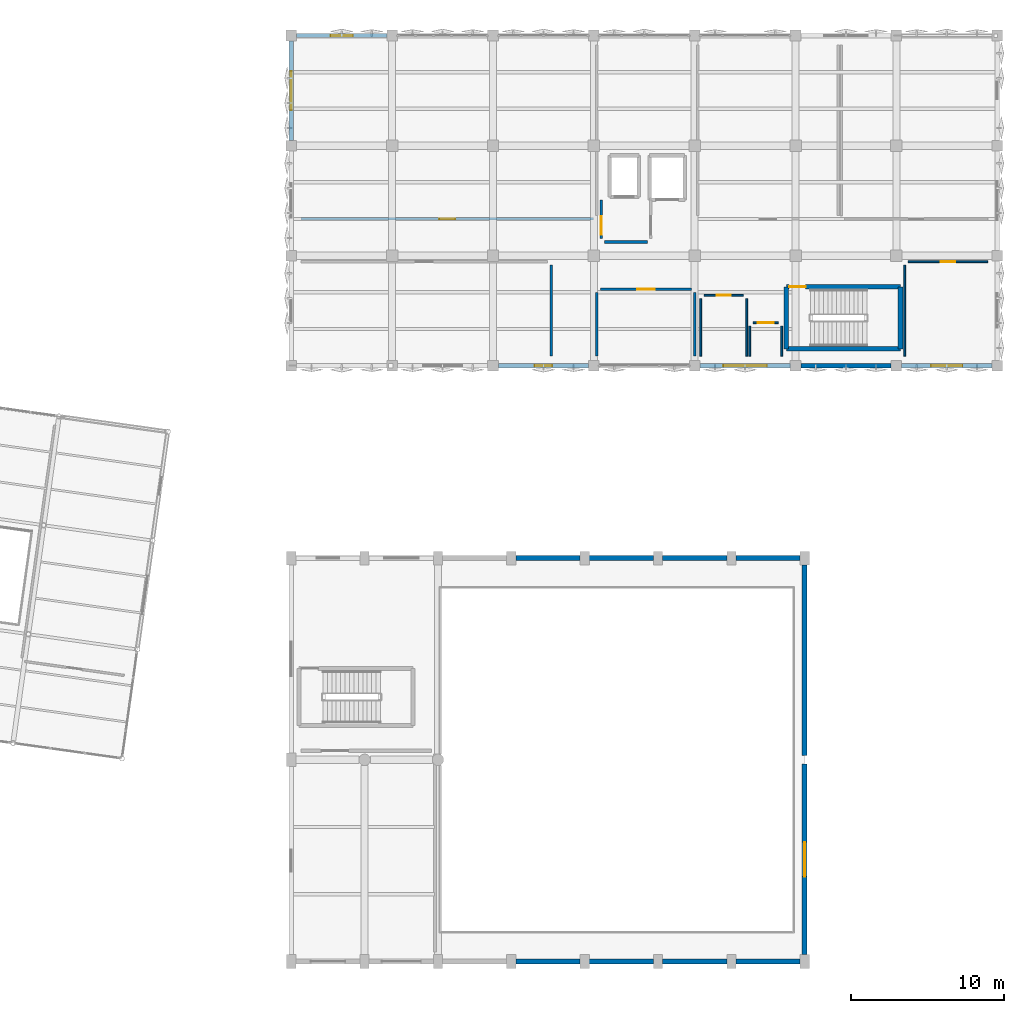
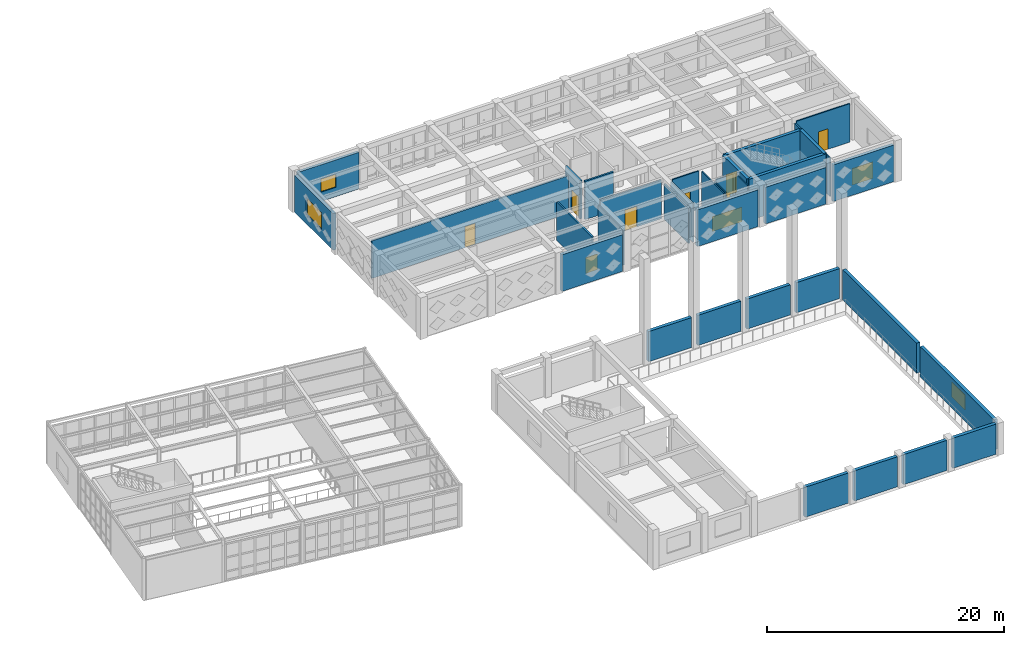
# One storey, part 70 of 80: 35 walls, 7 doors, 6 windows, 13 openings.
"""IFC4 building model written with IfcOpenShell, lengths in metres."""

from ifc_helpers import new_model, si_unit, direction, frame, frame_2d, origin, place, context, subcontext, project, spatial, rectangle, extrude, material, layer, layer_set, type_object, element, fill, save


model = new_model("IFC4")

# Units and contexts
model_context = context("Model", 3, precision=1e-05, world=origin(), true_north=direction((0.0, 1.0)))
body_context = subcontext(model_context, "Body", "Model", "MODEL_VIEW")
ifc_project = project(units=[si_unit("LENGTHUNIT", "METRE"), si_unit("AREAUNIT", "SQUARE_METRE"), si_unit("VOLUMEUNIT", "CUBIC_METRE"), si_unit("PLANEANGLEUNIT", "RADIAN"), si_unit("MASSUNIT", "GRAM", prefix="KILO")], contexts=[model_context])

# Site, building, storey
site_placement = place(None, origin())
site = spatial("IfcSite", under=ifc_project, at=site_placement, CompositionType="ELEMENT")
building_placement = place(site_placement, origin())
building = spatial("IfcBuilding", under=site, at=building_placement, Name="Kharisveld Research Institute", CompositionType="ELEMENT")
storey_placement = place(building_placement, frame((0.0, 0.0, 5.10009765625)))
storey = spatial("IfcBuildingStorey", under=building, at=storey_placement, Name="L01", CompositionType="ELEMENT", Elevation=5.10009765625)

# Wall
ifc_material_1 = material(Name="Concrete C40/50", Category="concrete")
ifc_layer_1 = layer(ifc_material_1, 0.300048828125)
ifc_layer_set_1 = layer_set([ifc_layer_1], Name="WL_CORE_300")
wall_type_1 = type_object("IfcWallType", Name="WL_CORE_300", PredefinedType="SHEAR", material=ifc_layer_set_1)
wall_1_placement = place(storey_placement, frame((147.0, 40.300048828125, 0.0), z_axis=(0.0, 0.0, 1.0), x_axis=(0.0, 1.0, 0.0)))
element("IfcWall", 1, at=wall_1_placement, inside=storey, type_object=wall_type_1, Name="WL:STR:ST3:L01:W", PredefinedType="SHEAR", context=body_context, shape_type="SweptSolid", body=[
    extrude(rectangle(XDim=4.06005859375, YDim=0.300048828125, at=frame_2d((2.030029296875, 0.0))), origin(), (0.0, 0.0, 1.0), 4.27978515625),
])

# Wall, opening, door
wall_2_placement = place(storey_placement, frame((147.0, 44.360107421875, 0.0), z_axis=(0.0, 0.0, 1.0), x_axis=(1.0, 0.0, 0.0)))
wall_2 = element("IfcWall", 2, at=wall_2_placement, inside=storey, type_object=wall_type_1, Name="WL:STR:ST3:L01:N", PredefinedType="SHEAR", context=body_context, shape_type="SweptSolid", body=[
    extrude(rectangle(XDim=7.469970703125, YDim=0.300048828125, at=frame_2d((3.73486328125, 0.0))), origin(), (0.0, 0.0, 1.0), 4.27978515625),
])
opening_1_placement = place(wall_2_placement, frame((0.179931640625, 0.0, 0.0)))
opening_1 = element("IfcOpeningElement", 3, at=opening_1_placement, cuts=wall_2, Name="Opening DS-029", PredefinedType="OPENING", context=body_context, shape_type="SweptSolid", body=[
    extrude(rectangle(XDim=1.080078125, YDim=2.14990234375, at=frame_2d((0.5400390625, 1.074951171875))), frame((0.0, 0.14990234375, 0.0), z_axis=(0.0, -1.0, 0.0), x_axis=(1.0, 0.0, 0.0)), (0.0, 0.0, 1.0), 0.300048828125),
])
ifc_material_2 = material(Name="Flush Painted Hardwood and Anodised Aluminium", Category="wood")
door_type_1 = type_object("IfcDoorType", Name="DR_FD60_108", OperationType="NOTDEFINED", PredefinedType="DOOR", material=ifc_material_2)
door_1_placement = place(opening_1_placement, origin())
door_1 = element("IfcDoor", 4, at=door_1_placement, inside=storey, type_object=door_type_1, Name="DR:STR:ST3:L01", OperationType="SINGLE_SWING_RIGHT", OverallHeight=2.14990234375, OverallWidth=1.080078125, PredefinedType="DOOR", context=body_context, shape_type="SweptSolid", body=[
    extrude(rectangle(XDim=1.080078125, YDim=2.14990234375, at=frame_2d((0.5400390625, 1.074951171875))), frame((0.0, 0.02490234375, 0.0), z_axis=(0.0, -1.0, 0.0), x_axis=(1.0, 0.0, 0.0)), (0.0, 0.0, 1.0), 0.050048828125),
])
fill(opening_1, door_1)

# Walls
wall_3_placement = place(storey_placement, frame((154.469970703125, 44.360107421875, 0.0), z_axis=(0.0, 0.0, 1.0), x_axis=(0.0, -1.0, 0.0)))
element("IfcWall", 5, at=wall_3_placement, inside=storey, type_object=wall_type_1, Name="WL:STR:ST3:L01:E", PredefinedType="SHEAR", context=body_context, shape_type="SweptSolid", body=[
    extrude(rectangle(XDim=4.06005859375, YDim=0.300048828125, at=frame_2d((2.030029296875, 0.0))), origin(), (0.0, 0.0, 1.0), 4.27978515625),
])
wall_4_placement = place(storey_placement, frame((154.469970703125, 40.300048828125, 0.0), z_axis=(0.0, 0.0, 1.0), x_axis=(-1.0, 0.0, 0.0)))
element("IfcWall", 6, at=wall_4_placement, inside=storey, type_object=wall_type_1, Name="WL:STR:ST3:L01:S", PredefinedType="SHEAR", context=body_context, shape_type="SweptSolid", body=[
    extrude(rectangle(XDim=7.469970703125, YDim=0.300048828125, at=frame_2d((3.73486328125, 0.0))), origin(), (0.0, 0.0, 1.0), 4.27978515625),
])

# Wall, opening, window
ifc_material_3 = material(Name="Precast Concrete C40/50 Thermal Wall", Category="concrete")
ifc_layer_2 = layer(ifc_material_3, 0.260009765625)
ifc_layer_set_2 = layer_set([ifc_layer_2], Name="WL_EXT_260")
wall_type_2 = type_object("IfcWallType", Name="WL_EXT_260", PredefinedType="STANDARD", material=ifc_layer_set_2)
wall_5_placement = place(storey_placement, frame((114.945068359375, 60.800048828125, 0.0), z_axis=(0.0, 0.0, 1.0), x_axis=(1.0, 0.0, 0.0)))
wall_5 = element("IfcWall", 7, at=wall_5_placement, inside=storey, type_object=wall_type_2, Name="WL:V2:L01:N0", PredefinedType="STANDARD", context=body_context, shape_type="SweptSolid", body=[
    extrude(rectangle(XDim=5.909912109375, YDim=0.260009765625, at=frame_2d((2.955078125, 0.0))), origin(), (0.0, 0.0, 1.0), 3.77490234375),
])
opening_2_placement = place(wall_5_placement, frame((2.22998046875, 0.0, 0.949951171875)))
opening_2 = element("IfcOpeningElement", 8, at=opening_2_placement, cuts=wall_5, Name="Opening WN-13", PredefinedType="OPENING", context=body_context, shape_type="SweptSolid", body=[
    extrude(rectangle(XDim=1.449951171875, YDim=1.35009765625, at=frame_2d((0.72509765625, 0.675048828125))), frame((0.0, 0.1298828125, 0.0), z_axis=(0.0, -1.0, 0.0), x_axis=(1.0, 0.0, 0.0)), (0.0, 0.0, 1.0), 0.260009765625),
])
ifc_material_4 = material(Name="Low-E Double Glazing", Category="glass")
window_type_1 = type_object("IfcWindowType", Name="WN_13", PartitioningType="DOUBLE_PANEL_VERTICAL", PredefinedType="WINDOW", material=ifc_material_4)
window_1_placement = place(opening_2_placement, origin())
window_1 = element("IfcWindow", 9, at=window_1_placement, inside=storey, type_object=window_type_1, Name="WN:V2:L01:N0", OverallHeight=1.35009765625, OverallWidth=1.449951171875, PartitioningType="SINGLE_PANEL", PredefinedType="WINDOW", context=body_context, shape_type="SweptSolid", body=[
    extrude(rectangle(XDim=1.449951171875, YDim=1.35009765625, at=frame_2d((0.72509765625, 0.675048828125))), frame((0.0, 0.030029296875, 0.0), z_axis=(0.0, -1.0, 0.0), x_axis=(1.0, 0.0, 0.0)), (0.0, 0.0, 1.0), 0.06005859375),
])
fill(opening_2, window_1)

ifc_material_5 = material(Name="Precast Concrete C40/50 Thermal Wall", Category="concrete")
ifc_layer_3 = layer(ifc_material_5, 0.2900390625)
ifc_layer_set_3 = layer_set([ifc_layer_3], Name="WL_EXT_290")
wall_type_3 = type_object("IfcWallType", Name="WL_EXT_290", PredefinedType="STANDARD", material=ifc_layer_set_3)
wall_6_placement = place(storey_placement, frame((114.60009765625, 53.945068359375, 0.0), z_axis=(0.0, 0.0, 1.0), x_axis=(0.0, 1.0, 0.0)))
wall_6 = element("IfcWall", 10, at=wall_6_placement, inside=storey, type_object=wall_type_3, Name="WL:V2:L01:W2", PredefinedType="STANDARD", context=body_context, shape_type="SweptSolid", body=[
    extrude(rectangle(XDim=6.510009765625, YDim=0.2900390625, at=frame_2d((3.2548828125, 0.0))), origin(), (0.0, 0.0, 1.0), 3.77490234375),
])
opening_3_placement = place(wall_6_placement, frame((1.97998046875, 0.0, 0.949951171875)))
opening_3 = element("IfcOpeningElement", 11, at=opening_3_placement, cuts=wall_6, Name="Opening WN-15", PredefinedType="OPENING", context=body_context, shape_type="SweptSolid", body=[
    extrude(rectangle(XDim=2.550048828125, YDim=1.75, at=frame_2d((1.27490234375, 0.875))), frame((0.0, 0.14501953125, 0.0), z_axis=(0.0, -1.0, 0.0), x_axis=(1.0, 0.0, 0.0)), (0.0, 0.0, 1.0), 0.2900390625),
])
ifc_material_6 = material(Name="Low-E Double Glazing", Category="glass")
window_type_2 = type_object("IfcWindowType", Name="WN_15", PartitioningType="TRIPLE_PANEL_VERTICAL", PredefinedType="WINDOW", material=ifc_material_6)
window_2_placement = place(opening_3_placement, origin())
window_2 = element("IfcWindow", 12, at=window_2_placement, inside=storey, type_object=window_type_2, Name="WN:V2:L01:W2", OverallHeight=1.75, OverallWidth=2.550048828125, PartitioningType="SINGLE_PANEL", PredefinedType="WINDOW", context=body_context, shape_type="SweptSolid", body=[
    extrude(rectangle(XDim=2.550048828125, YDim=1.75, at=frame_2d((1.27490234375, 0.875))), frame((0.0, 0.030029296875, 0.0), z_axis=(0.0, -1.0, 0.0), x_axis=(1.0, 0.0, 0.0)), (0.0, 0.0, 1.0), 0.06005859375),
])
fill(opening_3, window_2)

ifc_material_7 = material(Name="Precast Concrete C40/50 Ochre Panel", Category="concrete")
ifc_layer_4 = layer(ifc_material_7, 0.304931640625)
ifc_layer_set_4 = layer_set([ifc_layer_4], Name="WL_EXT_305")
wall_type_4 = type_object("IfcWallType", Name="WL_EXT_305", PredefinedType="STANDARD", material=ifc_layer_set_4)
wall_7_placement = place(storey_placement, frame((160.455078125, 39.199951171875, 0.0), z_axis=(0.0, 0.0, 1.0), x_axis=(-1.0, 0.0, 0.0)))
wall_7 = element("IfcWall", 13, at=wall_7_placement, inside=storey, type_object=wall_type_4, Name="WL:V2:L01:S7", PredefinedType="STANDARD", context=body_context, shape_type="SweptSolid", body=[
    extrude(rectangle(XDim=5.91015625, YDim=0.304931640625, at=frame_2d((2.955078125, 0.0))), origin(), (0.0, 0.0, 1.0), 3.77490234375),
])
opening_4_placement = place(wall_7_placement, frame((1.929931640625, 0.0, 0.949951171875)))
opening_4 = element("IfcOpeningElement", 14, at=opening_4_placement, cuts=wall_7, Name="Opening WN-20", PredefinedType="OPENING", context=body_context, shape_type="SweptSolid", body=[
    extrude(rectangle(XDim=2.050048828125, YDim=1.699951171875, at=frame_2d((1.02490234375, 0.85009765625))), frame((0.0, 0.15234375, 0.0), z_axis=(0.0, -1.0, 0.0), x_axis=(1.0, 0.0, 0.0)), (0.0, 0.0, 1.0), 0.304931640625),
])
ifc_material_8 = material(Name="Low-E Double Glazing", Category="glass")
window_type_3 = type_object("IfcWindowType", Name="WN_20", PartitioningType="DOUBLE_PANEL_VERTICAL", PredefinedType="WINDOW", material=ifc_material_8)
window_3_placement = place(opening_4_placement, origin())
window_3 = element("IfcWindow", 15, at=window_3_placement, inside=storey, type_object=window_type_3, Name="WN:V2:L01:S7", OverallHeight=1.699951171875, OverallWidth=2.050048828125, PartitioningType="SINGLE_PANEL", PredefinedType="WINDOW", context=body_context, shape_type="SweptSolid", body=[
    extrude(rectangle(XDim=2.050048828125, YDim=1.699951171875, at=frame_2d((1.02490234375, 0.85009765625))), frame((0.0, 0.030029296875, 0.0), z_axis=(0.0, -1.0, 0.0), x_axis=(1.0, 0.0, 0.0)), (0.0, 0.0, 1.0), 0.06005859375),
])
fill(opening_4, window_3)

# Wall
wall_8_placement = place(storey_placement, frame((153.85498046875, 39.199951171875, 0.0), z_axis=(0.0, 0.0, 1.0), x_axis=(-1.0, 0.0, 0.0)))
element("IfcWall", 16, at=wall_8_placement, inside=storey, type_object=wall_type_4, Name="WL:V2:L01:S6", PredefinedType="STANDARD", context=body_context, shape_type="SweptSolid", body=[
    extrude(rectangle(XDim=5.909912109375, YDim=0.304931640625, at=frame_2d((2.955078125, 0.0))), origin(), (0.0, 0.0, 1.0), 3.77490234375),
])

# Wall, opening, window
wall_9_placement = place(storey_placement, frame((147.2548828125, 39.199951171875, 0.0), z_axis=(0.0, 0.0, 1.0), x_axis=(-1.0, 0.0, 0.0)))
wall_9 = element("IfcWall", 17, at=wall_9_placement, inside=storey, type_object=wall_type_4, Name="WL:V2:L01:S5", PredefinedType="STANDARD", context=body_context, shape_type="SweptSolid", body=[
    extrude(rectangle(XDim=5.909912109375, YDim=0.304931640625, at=frame_2d((2.955078125, 0.0))), origin(), (0.0, 0.0, 1.0), 3.77490234375),
])
opening_5_placement = place(wall_9_placement, frame((1.530029296875, 0.0, 0.949951171875)))
opening_5 = element("IfcOpeningElement", 18, at=opening_5_placement, cuts=wall_9, Name="Opening WN-18", PredefinedType="OPENING", context=body_context, shape_type="SweptSolid", body=[
    extrude(rectangle(XDim=2.85009765625, YDim=1.5, at=frame_2d((1.425048828125, 0.75))), frame((0.0, 0.15234375, 0.0), z_axis=(0.0, -1.0, 0.0), x_axis=(1.0, 0.0, 0.0)), (0.0, 0.0, 1.0), 0.304931640625),
])
ifc_material_9 = material(Name="Low-E Double Glazing", Category="glass")
window_type_4 = type_object("IfcWindowType", Name="WN_18", PartitioningType="TRIPLE_PANEL_VERTICAL", PredefinedType="WINDOW", material=ifc_material_9)
window_4_placement = place(opening_5_placement, origin())
window_4 = element("IfcWindow", 19, at=window_4_placement, inside=storey, type_object=window_type_4, Name="WN:V2:L01:S5", OverallHeight=1.5, OverallWidth=2.85009765625, PartitioningType="SINGLE_PANEL", PredefinedType="WINDOW", context=body_context, shape_type="SweptSolid", body=[
    extrude(rectangle(XDim=2.85009765625, YDim=1.5, at=frame_2d((1.425048828125, 0.75))), frame((0.0, 0.030029296875, 0.0), z_axis=(0.0, -1.0, 0.0), x_axis=(1.0, 0.0, 0.0)), (0.0, 0.0, 1.0), 0.06005859375),
])
fill(opening_5, window_4)

wall_10_placement = place(storey_placement, frame((134.054931640625, 39.199951171875, 0.0), z_axis=(0.0, 0.0, 1.0), x_axis=(-1.0, 0.0, 0.0)))
wall_10 = element("IfcWall", 20, at=wall_10_placement, inside=storey, type_object=wall_type_4, Name="WL:V2:L01:S3", PredefinedType="STANDARD", context=body_context, shape_type="SweptSolid", body=[
    extrude(rectangle(XDim=5.909912109375, YDim=0.304931640625, at=frame_2d((2.955078125, 0.0))), origin(), (0.0, 0.0, 1.0), 3.77490234375),
])
opening_6_placement = place(wall_10_placement, frame((2.3798828125, 0.0, 0.949951171875)))
opening_6 = element("IfcOpeningElement", 21, at=opening_6_placement, cuts=wall_10, Name="Opening WN-16", PredefinedType="OPENING", context=body_context, shape_type="SweptSolid", body=[
    extrude(rectangle(XDim=1.14990234375, YDim=1.60009765625, at=frame_2d((0.574951171875, 0.800048828125))), frame((0.0, 0.15234375, 0.0), z_axis=(0.0, -1.0, 0.0), x_axis=(1.0, 0.0, 0.0)), (0.0, 0.0, 1.0), 0.304931640625),
])
ifc_material_10 = material(Name="Low-E Double Glazing", Category="glass")
window_type_5 = type_object("IfcWindowType", Name="WN_16", PartitioningType="SINGLE_PANEL", PredefinedType="WINDOW", material=ifc_material_10)
window_5_placement = place(opening_6_placement, origin())
window_5 = element("IfcWindow", 22, at=window_5_placement, inside=storey, type_object=window_type_5, Name="WN:V2:L01:S3", OverallHeight=1.60009765625, OverallWidth=1.14990234375, PartitioningType="SINGLE_PANEL", PredefinedType="WINDOW", context=body_context, shape_type="SweptSolid", body=[
    extrude(rectangle(XDim=1.14990234375, YDim=1.60009765625, at=frame_2d((0.574951171875, 0.800048828125))), frame((0.0, 0.030029296875, 0.0), z_axis=(0.0, -1.0, 0.0), x_axis=(1.0, 0.0, 0.0)), (0.0, 0.0, 1.0), 0.06005859375),
])
fill(opening_6, window_5)

# Walls
ifc_material_11 = material(Name="Precast Concrete C40/50 Ochre Panel", Category="concrete")
ifc_layer_5 = layer(ifc_material_11, 0.320068359375)
ifc_layer_set_5 = layer_set([ifc_layer_5], Name="WL_EXT_320")
wall_type_5 = type_object("IfcWallType", Name="WL_EXT_320", PredefinedType="SOLIDWALL", material=ifc_layer_set_5)
for number, where, z_axis, x_axis, name in (
    (23, (129.294921875, 26.60009765625, 0.0), (0.0, 0.0, 1.0), (1.0, 0.0, 0.0), "WL:V5:L01:N3"),
    (24, (134.094970703125, 26.60009765625, 0.0), (0.0, 0.0, 1.0), (1.0, 0.0, 0.0), "WL:V5:L01:N4"),
    (25, (138.89501953125, 26.60009765625, 0.0), (0.0, 0.0, 1.0), (1.0, 0.0, 0.0), "WL:V5:L01:N5"),
    (26, (143.695068359375, 26.60009765625, 0.0), (0.0, 0.0, 1.0), (1.0, 0.0, 0.0), "WL:V5:L01:N6"),
):
    element("IfcWall", number, at=place(storey_placement, frame(where, z_axis=z_axis, x_axis=x_axis)), inside=storey, type_object=wall_type_5, Name=name, PredefinedType="SOLIDWALL", context=body_context, shape_type="SweptSolid", body=[
        extrude(rectangle(XDim=4.2099609375, YDim=0.320068359375, at=frame_2d((2.10498046875, 0.0))), origin(), (0.0, 0.0, 1.0), 3.099853515625),
    ])
wall_11_placement = place(storey_placement, frame((148.199951171875, 26.155029296875, 0.0), z_axis=(0.0, 0.0, 1.0), x_axis=(0.0, -1.0, 0.0)))
element("IfcWall", 27, at=wall_11_placement, inside=storey, type_object=wall_type_5, Name="WL:V5:L01:E2", PredefinedType="SOLIDWALL", context=body_context, shape_type="SweptSolid", body=[
    extrude(rectangle(XDim=12.47509765625, YDim=0.320068359375, at=frame_2d((6.237548828125, 0.0))), origin(), (0.0, 0.0, 1.0), 3.099853515625),
])

# Wall, opening, window
wall_12_placement = place(storey_placement, frame((148.199951171875, 13.1201171875, 0.0), z_axis=(0.0, 0.0, 1.0), x_axis=(0.0, -1.0, 0.0)))
wall_12 = element("IfcWall", 28, at=wall_12_placement, inside=storey, type_object=wall_type_5, Name="WL:V5:L01:E1", PredefinedType="SOLIDWALL", context=body_context, shape_type="SweptSolid", body=[
    extrude(rectangle(XDim=12.47509765625, YDim=0.320068359375, at=frame_2d((6.237548828125, 0.0))), origin(), (0.0, 0.0, 1.0), 3.099853515625),
])
opening_7_placement = place(wall_12_placement, frame((5.112548828125, 0.0, 0.949951171875)))
opening_7 = element("IfcOpeningElement", 29, at=opening_7_placement, cuts=wall_12, Name="Opening WN-14", PredefinedType="OPENING", context=body_context, shape_type="SweptSolid", body=[
    extrude(rectangle(XDim=2.25, YDim=1.550048828125, at=frame_2d((1.125, 0.77490234375))), frame((0.0, 0.16015625, 0.0), z_axis=(0.0, -1.0, 0.0), x_axis=(1.0, 0.0, 0.0)), (0.0, 0.0, 1.0), 0.320068359375),
])
ifc_material_12 = material(Name="Low-E Double Glazing", Category="glass")
window_type_6 = type_object("IfcWindowType", Name="WN_14", PartitioningType="DOUBLE_PANEL_VERTICAL", PredefinedType="WINDOW", material=ifc_material_12)
window_6_placement = place(opening_7_placement, origin())
window_6 = element("IfcWindow", 30, at=window_6_placement, inside=storey, type_object=window_type_6, Name="WN:V5:L01:E1", OverallHeight=1.550048828125, OverallWidth=2.25, PartitioningType="SINGLE_PANEL", PredefinedType="WINDOW", context=body_context, shape_type="SweptSolid", body=[
    extrude(rectangle(XDim=2.25, YDim=1.550048828125, at=frame_2d((1.125, 0.77490234375))), frame((0.0, 0.030029296875, 0.0), z_axis=(0.0, -1.0, 0.0), x_axis=(1.0, 0.0, 0.0)), (0.0, 0.0, 1.0), 0.06005859375),
])
fill(opening_7, window_6)

# Walls
for number, where, z_axis, x_axis, name in (
    (31, (147.905029296875, 0.199951171875, 0.0), (0.0, 0.0, 1.0), (-1.0, 0.0, 0.0), "WL:V5:L01:S7"),
    (32, (143.10498046875, 0.199951171875, 0.0), (0.0, 0.0, 1.0), (-1.0, 0.0, 0.0), "WL:V5:L01:S6"),
    (33, (138.304931640625, 0.199951171875, 0.0), (0.0, 0.0, 1.0), (-1.0, 0.0, 0.0), "WL:V5:L01:S5"),
    (34, (133.5048828125, 0.199951171875, 0.0), (0.0, 0.0, 1.0), (-1.0, 0.0, 0.0), "WL:V5:L01:S4"),
):
    element("IfcWall", number, at=place(storey_placement, frame(where, z_axis=z_axis, x_axis=x_axis)), inside=storey, type_object=wall_type_5, Name=name, PredefinedType="SOLIDWALL", context=body_context, shape_type="SweptSolid", body=[
        extrude(rectangle(XDim=4.2099609375, YDim=0.320068359375, at=frame_2d((2.10498046875, 0.0))), origin(), (0.0, 0.0, 1.0), 3.099853515625),
    ])

# Wall, opening, door
ifc_material_13 = material(Name="Acoustic Drywall Partition", Category="mineral")
ifc_layer_6 = layer(ifc_material_13, 0.1650390625)
ifc_layer_set_6 = layer_set([ifc_layer_6], Name="WL_LAB_165")
wall_type_6 = type_object("IfcWallType", Name="WL_LAB_165", PredefinedType="PARTITIONING", material=ifc_layer_set_6)
wall_13_placement = place(storey_placement, frame((115.219970703125, 48.800048828125, 0.0), z_axis=(0.0, 0.0, 1.0), x_axis=(1.0, 0.0, 0.0)))
wall_13 = element("IfcWall", 35, at=wall_13_placement, inside=storey, type_object=wall_type_6, Name="WL:RM:V2:L01:WLA:S", PredefinedType="PARTITIONING", context=body_context, shape_type="SweptSolid", body=[
    extrude(rectangle(XDim=19.159912109375, YDim=0.1650390625, at=frame_2d((9.580078125, 0.0))), origin(), (0.0, 0.0, 1.0), 3.875),
])
opening_8_placement = place(wall_13_placement, frame((9.06494140625, 0.0, 0.0)))
opening_8 = element("IfcOpeningElement", 36, at=opening_8_placement, cuts=wall_13, Name="Opening DI-197", PredefinedType="OPENING", context=body_context, shape_type="SweptSolid", body=[
    extrude(rectangle(XDim=1.030029296875, YDim=2.159912109375, at=frame_2d((0.51513671875, 1.080078125))), frame((0.0, 0.08251953125, 0.0), z_axis=(0.0, -1.0, 0.0), x_axis=(1.0, 0.0, 0.0)), (0.0, 0.0, 1.0), 0.1650390625),
])
ifc_material_14 = material(Name="Flush Painted Hardwood and Anodised Aluminium", Category="wood")
door_type_2 = type_object("IfcDoorType", Name="DR_VAR_05", OperationType="NOTDEFINED", PredefinedType="DOOR", material=ifc_material_14)
door_2_placement = place(opening_8_placement, origin())
door_2 = element("IfcDoor", 37, at=door_2_placement, inside=storey, type_object=door_type_2, Name="DR:RM:V2:L01:WLA:S", OperationType="SINGLE_SWING_LEFT", OverallHeight=2.159912109375, OverallWidth=1.030029296875, PredefinedType="DOOR", context=body_context, shape_type="SweptSolid", body=[
    extrude(rectangle(XDim=1.030029296875, YDim=2.159912109375, at=frame_2d((0.51513671875, 1.080078125))), frame((0.0, 0.02490234375, 0.0), z_axis=(0.0, -1.0, 0.0), x_axis=(1.0, 0.0, 0.0)), (0.0, 0.0, 1.0), 0.050048828125),
])
fill(opening_8, door_2)

# Walls
wall_14_placement = place(storey_placement, frame((131.60009765625, 39.820068359375, 0.0), z_axis=(0.0, 0.0, 1.0), x_axis=(0.0, 1.0, 0.0)))
element("IfcWall", 38, at=wall_14_placement, inside=storey, type_object=wall_type_6, Name="WL:RM:V2:L01:WLC:E", PredefinedType="PARTITIONING", context=body_context, shape_type="SweptSolid", body=[
    extrude(rectangle(XDim=5.9599609375, YDim=0.1650390625, at=frame_2d((2.97998046875, 0.0))), origin(), (0.0, 0.0, 1.0), 3.949951171875),
])
wall_15_placement = place(storey_placement, frame((141.0, 39.820068359375, 0.0), z_axis=(0.0, 0.0, 1.0), x_axis=(0.0, 1.0, 0.0)))
element("IfcWall", 39, at=wall_15_placement, inside=storey, type_object=wall_type_6, Name="WL:RM:V2:L01:WLE:E", PredefinedType="PARTITIONING", context=body_context, shape_type="SweptSolid", body=[
    extrude(rectangle(XDim=4.159912109375, YDim=0.1650390625, at=frame_2d((2.080078125, 0.0))), origin(), (0.0, 0.0, 1.0), 3.625),
])

# Wall, opening, door
wall_16_placement = place(storey_placement, frame((140.780029296875, 44.199951171875, 0.0), z_axis=(0.0, 0.0, 1.0), x_axis=(-1.0, 0.0, 0.0)))
wall_16 = element("IfcWall", 40, at=wall_16_placement, inside=storey, type_object=wall_type_6, Name="WL:RM:V2:L01:WLE:N", PredefinedType="PARTITIONING", context=body_context, shape_type="SweptSolid", body=[
    extrude(rectangle(XDim=5.9599609375, YDim=0.1650390625, at=frame_2d((2.97998046875, 0.0))), origin(), (0.0, 0.0, 1.0), 3.949951171875),
])
opening_9_placement = place(wall_16_placement, frame((2.405029296875, 0.0, 0.0)))
opening_9 = element("IfcOpeningElement", 41, at=opening_9_placement, cuts=wall_16, Name="Opening DI-201", PredefinedType="OPENING", context=body_context, shape_type="SweptSolid", body=[
    extrude(rectangle(XDim=1.14990234375, YDim=2.1201171875, at=frame_2d((0.574951171875, 1.06005859375))), frame((0.0, 0.08251953125, 0.0), z_axis=(0.0, -1.0, 0.0), x_axis=(1.0, 0.0, 0.0)), (0.0, 0.0, 1.0), 0.1650390625),
])
ifc_material_15 = material(Name="Flush Painted Hardwood and Anodised Aluminium", Category="wood")
door_type_3 = type_object("IfcDoorType", Name="DR_VAR_09", OperationType="NOTDEFINED", PredefinedType="DOOR", material=ifc_material_15)
door_3_placement = place(opening_9_placement, origin())
door_3 = element("IfcDoor", 42, at=door_3_placement, inside=storey, type_object=door_type_3, Name="DR:RM:V2:L01:WLE:N", OperationType="SINGLE_SWING_LEFT", OverallHeight=2.1201171875, OverallWidth=1.14990234375, PredefinedType="DOOR", context=body_context, shape_type="SweptSolid", body=[
    extrude(rectangle(XDim=1.14990234375, YDim=2.1201171875, at=frame_2d((0.574951171875, 1.06005859375))), frame((0.0, 0.02490234375, 0.0), z_axis=(0.0, -1.0, 0.0), x_axis=(1.0, 0.0, 0.0)), (0.0, 0.0, 1.0), 0.050048828125),
])
fill(opening_9, door_3)

# Walls
wall_17_placement = place(storey_placement, frame((134.60009765625, 43.97998046875, 0.0), z_axis=(0.0, 0.0, 1.0), x_axis=(0.0, -1.0, 0.0)))
element("IfcWall", 43, at=wall_17_placement, inside=storey, type_object=wall_type_6, Name="WL:RM:V2:L01:WLE:W", PredefinedType="PARTITIONING", context=body_context, shape_type="SweptSolid", body=[
    extrude(rectangle(XDim=4.159912109375, YDim=0.1650390625, at=frame_2d((2.080078125, 0.0))), origin(), (0.0, 0.0, 1.0), 3.625),
])
ifc_material_16 = material(Name="Masonry Blockwork", Category="masonry")
ifc_layer_7 = layer(ifc_material_16, 0.18505859375)
ifc_layer_set_7 = layer_set([ifc_layer_7], Name="WL_LOB_185")
wall_type_7 = type_object("IfcWallType", Name="WL_LOB_185", PredefinedType="SOLIDWALL", material=ifc_layer_set_7)
wall_18_placement = place(storey_placement, frame((135.10009765625, 47.300048828125, 0.0), z_axis=(0.0, 0.0, 1.0), x_axis=(1.0, 0.0, 0.0)))
element("IfcWall", 44, at=wall_18_placement, inside=storey, type_object=wall_type_7, Name="WL:RM:V2:L01:FFL:S", PredefinedType="SOLIDWALL", context=body_context, shape_type="SweptSolid", body=[
    extrude(rectangle(XDim=2.7998046875, YDim=0.18505859375, at=frame_2d((1.39990234375, 0.0))), origin(), (0.0, 0.0, 1.0), 3.949951171875),
])

# Wall, opening, door
wall_19_placement = place(storey_placement, frame((134.8798828125, 50.030029296875, 0.0), z_axis=(0.0, 0.0, 1.0), x_axis=(0.0, -1.0, 0.0)))
wall_19 = element("IfcWall", 45, at=wall_19_placement, inside=storey, type_object=wall_type_7, Name="WL:RM:V2:L01:FFL:W", PredefinedType="SOLIDWALL", context=body_context, shape_type="SweptSolid", body=[
    extrude(rectangle(XDim=2.510009765625, YDim=0.18505859375, at=frame_2d((1.2548828125, 0.0))), origin(), (0.0, 0.0, 1.0), 3.949951171875),
])
opening_10_placement = place(wall_19_placement, frame((1.06005859375, 0.0, 0.0)))
opening_10 = element("IfcOpeningElement", 46, at=opening_10_placement, cuts=wall_19, Name="Opening DI-194", PredefinedType="OPENING", context=body_context, shape_type="SweptSolid", body=[
    extrude(rectangle(XDim=1.199951171875, YDim=2.14990234375, at=frame_2d((0.60009765625, 1.074951171875))), frame((0.0, 0.092529296875, 0.0), z_axis=(0.0, -1.0, 0.0), x_axis=(1.0, 0.0, 0.0)), (0.0, 0.0, 1.0), 0.18505859375),
])
ifc_material_17 = material(Name="Flush Painted Hardwood and Anodised Aluminium", Category="wood")
door_type_4 = type_object("IfcDoorType", Name="DR_FD120_120", OperationType="NOTDEFINED", PredefinedType="DOOR", material=ifc_material_17)
door_4_placement = place(opening_10_placement, origin())
door_4 = element("IfcDoor", 47, at=door_4_placement, inside=storey, type_object=door_type_4, Name="DR:RM:V2:L01:FFL:W", OperationType="SINGLE_SWING_RIGHT", OverallHeight=2.14990234375, OverallWidth=1.199951171875, PredefinedType="DOOR", context=body_context, shape_type="SweptSolid", body=[
    extrude(rectangle(XDim=1.199951171875, YDim=2.14990234375, at=frame_2d((0.60009765625, 1.074951171875))), frame((0.0, 0.02490234375, 0.0), z_axis=(0.0, -1.0, 0.0), x_axis=(1.0, 0.0, 0.0)), (0.0, 0.0, 1.0), 0.050048828125),
])
fill(opening_10, door_4)

ifc_material_18 = material(Name="Insulated Stud Partition", Category="mineral")
ifc_layer_8 = layer(ifc_material_18, 0.125)
ifc_layer_set_8 = layer_set([ifc_layer_8], Name="WL_OFF_125")
wall_type_8 = type_object("IfcWallType", Name="WL_OFF_125", PredefinedType="PARTITIONING", material=ifc_layer_set_8)
wall_20_placement = place(storey_placement, frame((160.179931640625, 46.0, 0.0), z_axis=(0.0, 0.0, 1.0), x_axis=(-1.0, 0.0, 0.0)))
wall_20 = element("IfcWall", 48, at=wall_20_placement, inside=storey, type_object=wall_type_8, Name="WL:RM:V2:L01:SEM:N", PredefinedType="PARTITIONING", context=body_context, shape_type="SweptSolid", body=[
    extrude(rectangle(XDim=5.2099609375, YDim=0.125, at=frame_2d((2.60498046875, 0.0))), origin(), (0.0, 0.0, 1.0), 3.949951171875),
])
opening_11_placement = place(wall_20_placement, frame((2.135009765625, 0.0, 0.0)))
opening_11 = element("IfcOpeningElement", 49, at=opening_11_placement, cuts=wall_20, Name="Opening DI-202", PredefinedType="OPENING", context=body_context, shape_type="SweptSolid", body=[
    extrude(rectangle(XDim=0.93994140625, YDim=2.1201171875, at=frame_2d((0.469970703125, 1.06005859375))), frame((0.0, 0.0625, 0.0), z_axis=(0.0, -1.0, 0.0), x_axis=(1.0, 0.0, 0.0)), (0.0, 0.0, 1.0), 0.125),
])
ifc_material_19 = material(Name="Flush Painted Hardwood and Anodised Aluminium", Category="wood")
door_type_5 = type_object("IfcDoorType", Name="DR_OFF_094", OperationType="NOTDEFINED", PredefinedType="DOOR", material=ifc_material_19)
door_5_placement = place(opening_11_placement, origin())
door_5 = element("IfcDoor", 50, at=door_5_placement, inside=storey, type_object=door_type_5, Name="DR:RM:V2:L01:SEM:N", OperationType="SINGLE_SWING_RIGHT", OverallHeight=2.1201171875, OverallWidth=0.93994140625, PredefinedType="DOOR", context=body_context, shape_type="SweptSolid", body=[
    extrude(rectangle(XDim=0.93994140625, YDim=2.1201171875, at=frame_2d((0.469970703125, 1.06005859375))), frame((0.0, 0.02490234375, 0.0), z_axis=(0.0, -1.0, 0.0), x_axis=(1.0, 0.0, 0.0)), (0.0, 0.0, 1.0), 0.050048828125),
])
fill(opening_11, door_5)

# Walls
wall_21_placement = place(storey_placement, frame((154.75, 45.780029296875, 0.0), z_axis=(0.0, 0.0, 1.0), x_axis=(0.0, -1.0, 0.0)))
element("IfcWall", 51, at=wall_21_placement, inside=storey, type_object=wall_type_8, Name="WL:RM:V2:L01:SEM:W", PredefinedType="PARTITIONING", context=body_context, shape_type="SweptSolid", body=[
    extrude(rectangle(XDim=5.9599609375, YDim=0.125, at=frame_2d((2.97998046875, 0.0))), origin(), (0.0, 0.0, 1.0), 3.949951171875),
])
ifc_material_20 = material(Name="Moisture-Resistant Partition", Category="mineral")
ifc_layer_9 = layer(ifc_material_20, 0.114990234375)
ifc_layer_set_9 = layer_set([ifc_layer_9], Name="WL_WC_115")
wall_type_9 = type_object("IfcWallType", Name="WL_WC_115", PredefinedType="PARTITIONING", material=ifc_layer_set_9)
wall_22_placement = place(storey_placement, frame((144.39990234375, 39.820068359375, 0.0), z_axis=(0.0, 0.0, 1.0), x_axis=(0.0, 1.0, 0.0)))
element("IfcWall", 52, at=wall_22_placement, inside=storey, type_object=wall_type_9, Name="WL:RM:V2:L01:WCM:E", PredefinedType="PARTITIONING", context=body_context, shape_type="SweptSolid", body=[
    extrude(rectangle(XDim=3.760009765625, YDim=0.114990234375, at=frame_2d((1.8798828125, 0.0))), origin(), (0.0, 0.0, 1.0), 3.949951171875),
])

# Wall, opening, door
wall_23_placement = place(storey_placement, frame((144.179931640625, 43.800048828125, 0.0), z_axis=(0.0, 0.0, 1.0), x_axis=(-1.0, 0.0, 0.0)))
wall_23 = element("IfcWall", 53, at=wall_23_placement, inside=storey, type_object=wall_type_9, Name="WL:RM:V2:L01:WCM:N", PredefinedType="PARTITIONING", context=body_context, shape_type="SweptSolid", body=[
    extrude(rectangle(XDim=2.559814453125, YDim=0.114990234375, at=frame_2d((1.27978515625, 0.0))), origin(), (0.0, 0.0, 1.0), 3.949951171875),
])
opening_12_placement = place(wall_23_placement, frame((0.830078125, 0.0, 0.0)))
opening_12 = element("IfcOpeningElement", 54, at=opening_12_placement, cuts=wall_23, Name="Opening DI-195", PredefinedType="OPENING", context=body_context, shape_type="SweptSolid", body=[
    extrude(rectangle(XDim=0.89990234375, YDim=2.10009765625, at=frame_2d((0.449951171875, 1.050048828125))), frame((0.0, 0.0576171875, 0.0), z_axis=(0.0, -1.0, 0.0), x_axis=(1.0, 0.0, 0.0)), (0.0, 0.0, 1.0), 0.114990234375),
])
ifc_material_21 = material(Name="Flush Painted Hardwood and Anodised Aluminium", Category="wood")
door_type_6 = type_object("IfcDoorType", Name="DR_WC_090", OperationType="NOTDEFINED", PredefinedType="DOOR", material=ifc_material_21)
door_6_placement = place(opening_12_placement, origin())
door_6 = element("IfcDoor", 55, at=door_6_placement, inside=storey, type_object=door_type_6, Name="DR:RM:V2:L01:WCM:N", OperationType="SINGLE_SWING_LEFT", OverallHeight=2.10009765625, OverallWidth=0.89990234375, PredefinedType="DOOR", context=body_context, shape_type="SweptSolid", body=[
    extrude(rectangle(XDim=0.89990234375, YDim=2.10009765625, at=frame_2d((0.449951171875, 1.050048828125))), frame((0.0, 0.02490234375, 0.0), z_axis=(0.0, -1.0, 0.0), x_axis=(1.0, 0.0, 0.0)), (0.0, 0.0, 1.0), 0.050048828125),
])
fill(opening_12, door_6)

# Walls
wall_24_placement = place(storey_placement, frame((141.39990234375, 43.580078125, 0.0), z_axis=(0.0, 0.0, 1.0), x_axis=(0.0, -1.0, 0.0)))
element("IfcWall", 56, at=wall_24_placement, inside=storey, type_object=wall_type_9, Name="WL:RM:V2:L01:WCM:W", PredefinedType="PARTITIONING", context=body_context, shape_type="SweptSolid", body=[
    extrude(rectangle(XDim=3.760009765625, YDim=0.114990234375, at=frame_2d((1.8798828125, 0.0))), origin(), (0.0, 0.0, 1.0), 3.949951171875),
])
wall_25_placement = place(storey_placement, frame((146.699951171875, 39.820068359375, 0.0), z_axis=(0.0, 0.0, 1.0), x_axis=(0.0, 1.0, 0.0)))
element("IfcWall", 57, at=wall_25_placement, inside=storey, type_object=wall_type_9, Name="WL:RM:V2:L01:WCA:E", PredefinedType="PARTITIONING", context=body_context, shape_type="SweptSolid", body=[
    extrude(rectangle(XDim=1.9599609375, YDim=0.114990234375, at=frame_2d((0.97998046875, 0.0))), origin(), (0.0, 0.0, 1.0), 3.949951171875),
])

# Wall, opening, door
wall_26_placement = place(storey_placement, frame((146.47998046875, 42.0, 0.0), z_axis=(0.0, 0.0, 1.0), x_axis=(-1.0, 0.0, 0.0)))
wall_26 = element("IfcWall", 58, at=wall_26_placement, inside=storey, type_object=wall_type_9, Name="WL:RM:V2:L01:WCA:N", PredefinedType="PARTITIONING", context=body_context, shape_type="SweptSolid", body=[
    extrude(rectangle(XDim=1.659912109375, YDim=0.114990234375, at=frame_2d((0.830078125, 0.0))), origin(), (0.0, 0.0, 1.0), 3.949951171875),
])
opening_13_placement = place(wall_26_placement, frame((0.300048828125, 0.0, 0.0)))
opening_13 = element("IfcOpeningElement", 59, at=opening_13_placement, cuts=wall_26, Name="Opening DI-196", PredefinedType="OPENING", context=body_context, shape_type="SweptSolid", body=[
    extrude(rectangle(XDim=1.06005859375, YDim=2.1201171875, at=frame_2d((0.530029296875, 1.06005859375))), frame((0.0, 0.0576171875, 0.0), z_axis=(0.0, -1.0, 0.0), x_axis=(1.0, 0.0, 0.0)), (0.0, 0.0, 1.0), 0.114990234375),
])
ifc_material_22 = material(Name="Flush Painted Hardwood and Anodised Aluminium", Category="wood")
door_type_7 = type_object("IfcDoorType", Name="DR_WCA_106", OperationType="NOTDEFINED", PredefinedType="DOOR", material=ifc_material_22)
door_7_placement = place(opening_13_placement, origin())
door_7 = element("IfcDoor", 60, at=door_7_placement, inside=storey, type_object=door_type_7, Name="DR:RM:V2:L01:WCA:N", OperationType="SINGLE_SWING_RIGHT", OverallHeight=2.1201171875, OverallWidth=1.06005859375, PredefinedType="DOOR", context=body_context, shape_type="SweptSolid", body=[
    extrude(rectangle(XDim=1.06005859375, YDim=2.1201171875, at=frame_2d((0.530029296875, 1.06005859375))), frame((0.0, 0.02490234375, 0.0), z_axis=(0.0, -1.0, 0.0), x_axis=(1.0, 0.0, 0.0)), (0.0, 0.0, 1.0), 0.050048828125),
])
fill(opening_13, door_7)

# Wall
wall_27_placement = place(storey_placement, frame((144.60009765625, 41.780029296875, 0.0), z_axis=(0.0, 0.0, 1.0), x_axis=(0.0, -1.0, 0.0)))
element("IfcWall", 61, at=wall_27_placement, inside=storey, type_object=wall_type_9, Name="WL:RM:V2:L01:WCA:W", PredefinedType="PARTITIONING", context=body_context, shape_type="SweptSolid", body=[
    extrude(rectangle(XDim=1.9599609375, YDim=0.114990234375, at=frame_2d((0.97998046875, 0.0))), origin(), (0.0, 0.0, 1.0), 3.949951171875),
])

save(model, "model.ifc")
